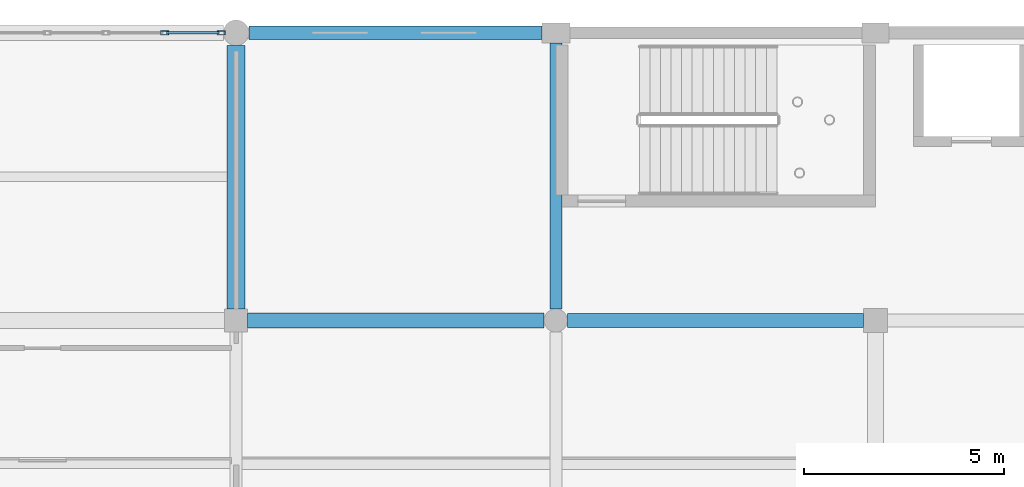
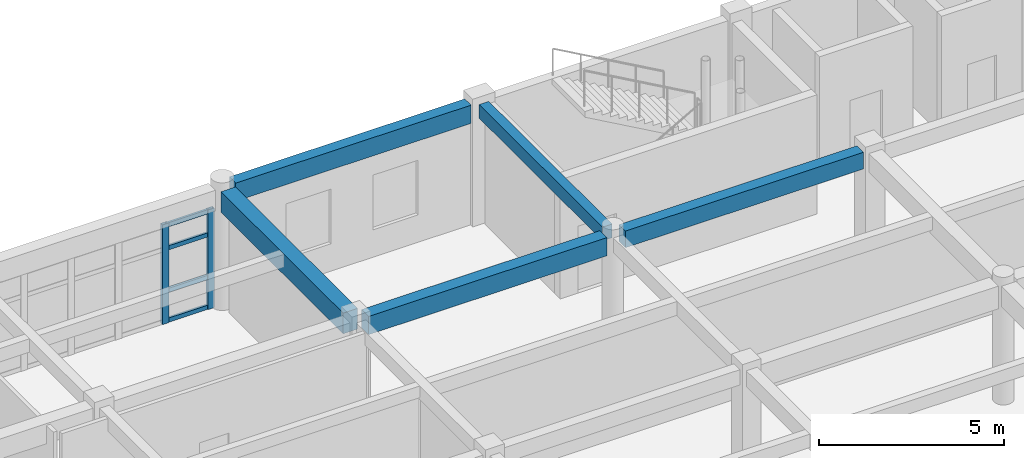
# One storey, part 59 of 121: 6 members, 5 beams, 1 element without a shape of its own.
"""IFC4 building model written with IfcOpenShell, lengths in metres."""

import ifcopenshell
import ifcopenshell.guid

model = None  # the IFC model being written
_history = None  # IfcOwnerHistory: only IFC2X3 demands one
_inside = {}  # id of a spatial element -> (the spatial element, [elements in it])
_under = {}  # id of a project, library or spatial element -> (it, [spatial elements below it])
_declared = {}  # id of a project -> (the project, [libraries it declares])
_typed = {}  # id of a type object -> (the type object, [elements of that type])
_made_of = {}  # id of a material, layer set ... -> (it, [elements and type objects made of it])


def new_model(schema):
    """Start an empty IFC model of exactly this schema.

    Asked for "IFC4X3", IfcOpenShell would pick the latest addendum, in which some entities
    have other attributes; the version numbers below select the first issue.
    IFC2X3 requires an IfcOwnerHistory on every rooted entity: one is made here for all.
    """
    global model, _history
    if schema == "IFC4X3":
        model = ifcopenshell.file(schema_version=(4, 3, 0, 0))
    else:
        model = ifcopenshell.file(schema=schema)
    _inside.clear()
    _under.clear()
    _declared.clear()
    _typed.clear()
    _made_of.clear()
    _history = None
    if model.schema == "IFC2X3":
        org = make("IfcOrganization", Name="unknown")
        user = make(
            "IfcPersonAndOrganization",
            ThePerson=make("IfcPerson", FamilyName="unknown"),
            TheOrganization=org,
        )
        app = make(
            "IfcApplication",
            ApplicationDeveloper=org,
            Version="unknown",
            ApplicationFullName="unknown",
            ApplicationIdentifier="unknown",
        )
        _history = make(
            "IfcOwnerHistory",
            OwningUser=user,
            OwningApplication=app,
            ChangeAction="ADDED",
            CreationDate=0,
        )
    return model


def make(cls, **values):
    """One entity of the class cls with the attributes given. An attribute that is None is left unset."""
    return model.create_entity(
        cls, **{name: value for name, value in values.items() if value is not None}
    )


def rooted(cls, **values):
    """An entity with a GlobalId (a new one), such as an element, a storey or a relation."""
    return make(cls, GlobalId=ifcopenshell.guid.new(), OwnerHistory=_history, **values)


def si_unit(unit_type, name, prefix=None):
    """IfcSIUnit, for example si_unit("LENGTHUNIT", "METRE", prefix="MILLI")."""
    return make("IfcSIUnit", UnitType=unit_type, Prefix=prefix, Name=name)


def assignment(units):
    """IfcUnitAssignment: the units of a project."""
    return None if units is None else make("IfcUnitAssignment", Units=units)


def point(xyz):
    """IfcCartesianPoint."""
    return None if xyz is None else make("IfcCartesianPoint", Coordinates=xyz)


def direction(xyz):
    """IfcDirection."""
    return None if xyz is None else make("IfcDirection", DirectionRatios=xyz)


def frame(location, z_axis=None, x_axis=None):
    """IfcAxis2Placement3D, a coordinate frame: its origin and axes. An axis left out is left unset."""
    return make(
        "IfcAxis2Placement3D",
        Location=point(location),
        Axis=direction(z_axis),
        RefDirection=direction(x_axis),
    )


def frame_2d(location, x_axis=None):
    """IfcAxis2Placement2D, a coordinate frame in the plane: its origin and x axis."""
    return make(
        "IfcAxis2Placement2D", Location=point(location), RefDirection=direction(x_axis)
    )


def origin():
    """The frame at (0, 0, 0) with its axes left unset."""
    return frame((0.0, 0.0, 0.0))


def origin_2d():
    """The frame at (0, 0) in the plane with its x axis left unset."""
    return frame_2d((0.0, 0.0))


def place(relative_to, where):
    """IfcLocalPlacement: puts the frame where relative to a parent placement (None: the world)."""
    return make(
        "IfcLocalPlacement", PlacementRelTo=relative_to, RelativePlacement=where
    )


def context(
    kind, dimensions, precision=None, world=None, true_north=None, identifier=None
):
    """IfcGeometricRepresentationContext, for example the 3D "Model" context."""
    return make(
        "IfcGeometricRepresentationContext",
        ContextIdentifier=identifier,
        ContextType=kind,
        CoordinateSpaceDimension=dimensions,
        Precision=precision,
        WorldCoordinateSystem=world,
        TrueNorth=true_north,
    )


def subcontext(parent, identifier, kind, view, scale=None):
    """IfcGeometricRepresentationSubContext, for example "Body" below "Model"."""
    return make(
        "IfcGeometricRepresentationSubContext",
        ContextIdentifier=identifier,
        ContextType=kind,
        ParentContext=parent,
        TargetScale=scale,
        TargetView=view,
    )


def project(units=None, contexts=None):
    """IfcProject with its units and contexts."""
    return rooted(
        "IfcProject",
        Name="project",
        RepresentationContexts=contexts,
        UnitsInContext=assignment(units),
    )


def spatial(cls, under=None, at=None, **own):
    """A site, building, storey or space (cls), placed at a placement, below another one or the project."""
    s = rooted(cls, ObjectPlacement=at, **own)
    if under is not None:
        _under.setdefault(under.id(), (under, []))[1].append(s)
    return s


def profile(cls, at=None, kind="AREA", **sizes):
    """A parametric profile (cls). Its sizes go by their IFC names, for example OverallWidth=200.0."""
    return make(cls, ProfileType=kind, Position=at, **sizes)


def rectangle(**sizes):
    """IfcRectangleProfileDef."""
    return profile("IfcRectangleProfileDef", **sizes)


def hollow_rectangle(**sizes):
    """IfcRectangleHollowProfileDef."""
    return profile("IfcRectangleHollowProfileDef", **sizes)


def extrude(swept, where, along, depth):
    """IfcExtrudedAreaSolid: the profile swept, set in the frame where, extruded along a direction by depth."""
    return make(
        "IfcExtrudedAreaSolid",
        SweptArea=swept,
        Position=where,
        ExtrudedDirection=direction(along),
        Depth=depth,
    )


def shape(context_of_items, identifier, shape_type, items):
    """IfcShapeRepresentation: the items that make up one representation, for example the "Body"."""
    return make(
        "IfcShapeRepresentation",
        ContextOfItems=context_of_items,
        RepresentationIdentifier=identifier,
        RepresentationType=shape_type,
        Items=items,
    )


def material(Name=None, Category=None):
    """IfcMaterial."""
    return make("IfcMaterial", Name=Name, Category=Category)


def material_profile(
    of_material, cross_section, Name=None, Category=None, Priority=None
):
    """IfcMaterialProfile: a cross section and its material."""
    return make(
        "IfcMaterialProfile",
        Name=Name,
        Material=of_material,
        Profile=cross_section,
        Priority=Priority,
        Category=Category,
    )


def profile_set(profiles, Name=None, composite=None):
    """IfcMaterialProfileSet."""
    return make(
        "IfcMaterialProfileSet",
        Name=Name,
        MaterialProfiles=profiles,
        CompositeProfile=composite,
    )


def made_of(thing, what):
    """Note that an element or type object is made of a material, layer set ...; save() writes the relation."""
    if what is not None:
        _made_of.setdefault(what.id(), (what, []))[1].append(thing)
    return thing


def type_object(cls, material=None, **own):
    """A type object (cls), such as IfcWallType, which elements share."""
    return made_of(rooted(cls, **own), material)


def element(
    cls,
    number,
    at=None,
    inside=None,
    cuts=None,
    type_object=None,
    material=None,
    context=None,
    identifier="Body",
    shape_type=None,
    held_by="IfcProductDefinitionShape",
    body=None,
    shapes=None,
    **own,
):
    """One element of the class cls, such as IfcWall. Its Tag is "e" and its number.

    at: its placement. inside: the storey or other place that contains it. cuts: it is an
    opening in that element (IfcRelVoidsElement). A single representation is given by context,
    identifier, shape_type and body (its items); several are given by shapes. held_by: the class
    of the entity that holds the representations. save() writes the other relations.
    """
    e = rooted(cls, Tag="e%d" % number, ObjectPlacement=at, **own)
    if body is not None:
        shapes = [shape(context, identifier, shape_type, body)]
    if shapes is not None:
        e.Representation = make(held_by, Representations=shapes)
    if inside is not None:
        _inside.setdefault(inside.id(), (inside, []))[1].append(e)
    if cuts is not None:
        rooted(
            "IfcRelVoidsElement", RelatingBuildingElement=cuts, RelatedOpeningElement=e
        )
    if type_object is not None:
        _typed.setdefault(type_object.id(), (type_object, []))[1].append(e)
    return made_of(e, material)


def aggregate(whole, parts):
    """IfcRelAggregates: a whole, such as a stair, and the parts it consists of."""
    return rooted("IfcRelAggregates", RelatingObject=whole, RelatedObjects=parts)


def save(model, path):
    """Write the relations noted so far, then the file.

    IfcRelAggregates (storeys below a building ...), IfcRelContainedInSpatialStructure (elements
    in a storey), IfcRelDefinesByType, IfcRelAssociatesMaterial and IfcRelDeclares: one each for
    every whole, place, type object, material and project.
    """
    for whole, parts in _under.values():
        aggregate(whole, parts)
    for where, things in _inside.values():
        rooted(
            "IfcRelContainedInSpatialStructure",
            RelatedElements=things,
            RelatingStructure=where,
        )
    for kind, things in _typed.values():
        rooted("IfcRelDefinesByType", RelatedObjects=things, RelatingType=kind)
    for what, things in _made_of.values():
        rooted("IfcRelAssociatesMaterial", RelatedObjects=things, RelatingMaterial=what)
    for by, libraries in _declared.values():
        rooted("IfcRelDeclares", RelatingContext=by, RelatedDefinitions=libraries)
    model.write(path)


model = new_model("IFC4")

# Units and contexts
model_context = context("Model", 3, precision=1e-05, world=origin(), true_north=direction((0.0, 1.0)))
body_context = subcontext(model_context, "Body", "Model", "MODEL_VIEW")
ifc_project = project(units=[si_unit("LENGTHUNIT", "METRE"), si_unit("AREAUNIT", "SQUARE_METRE"), si_unit("VOLUMEUNIT", "CUBIC_METRE"), si_unit("PLANEANGLEUNIT", "RADIAN"), si_unit("MASSUNIT", "GRAM", prefix="KILO")], contexts=[model_context])

# Site, building, storey
site_placement = place(None, origin())
site = spatial("IfcSite", under=ifc_project, at=site_placement, CompositionType="ELEMENT")
building_placement = place(site_placement, origin())
building = spatial("IfcBuilding", under=site, at=building_placement, Name="Kharva Crest Polytechnic", CompositionType="ELEMENT")
storey_placement = place(building_placement, frame((0.0, 0.0, 13.199951171875)))
storey = spatial("IfcBuildingStorey", under=building, at=storey_placement, Name="L03", CompositionType="ELEMENT", Elevation=13.199951171875)

# Beams
ifc_material_1 = material(Name="Concrete C35/45", Category="concrete")
ifc_material_profile_1 = material_profile(ifc_material_1, rectangle(XDim=0.300048828125, YDim=0.449951171875, at=origin_2d()), Name="RECT 300 X 450")
ifc_profile_set_1 = profile_set([ifc_material_profile_1], Name="Concrete C35/45")
beam_type_1 = type_object("IfcBeamType", Name="BM-RC-300X450", PredefinedType="BEAM", material=ifc_profile_set_1)
beam_1_placement = place(storey_placement, frame((56.0, 115.090087890625, 3.735107421875), z_axis=(0.0, 1.0, 0.0), x_axis=(-1.0, 0.0, 0.0)))
element("IfcBeam", 1, at=beam_1_placement, inside=storey, type_object=beam_type_1, Name="L03 Girder 8/R-S", PredefinedType="BEAM", context=body_context, shape_type="SweptSolid", body=[
    extrude(rectangle(XDim=0.300048828125, YDim=0.449951171875, at=origin_2d()), origin(), (0.0, 0.0, 1.0), 6.659912109375),
])
ifc_material_profile_2 = material_profile(ifc_material_1, rectangle(XDim=0.35009765625, YDim=0.550048828125, at=origin_2d()), Name="RECT 350 X 550")
ifc_profile_set_2 = profile_set([ifc_material_profile_2], Name="Concrete C35/45")
beam_type_2 = type_object("IfcBeamType", Name="BM-RC-350X550", PredefinedType="BEAM", material=ifc_profile_set_2)
beam_2_placement = place(storey_placement, frame((56.2900390625, 114.800048828125, 3.68505859375), z_axis=(1.0, 0.0, 0.0), x_axis=(0.0, 1.0, 0.0)))
element("IfcBeam", 2, at=beam_2_placement, inside=storey, type_object=beam_type_2, Name="L03 Beam R/8-9", PredefinedType="BEAM", context=body_context, shape_type="SweptSolid", body=[
    extrude(rectangle(XDim=0.35009765625, YDim=0.550048828125, at=origin_2d()), origin(), (0.0, 0.0, 1.0), 7.409912109375),
])
ifc_material_profile_3 = material_profile(ifc_material_1, rectangle(XDim=0.3798828125, YDim=0.60009765625, at=origin_2d()), Name="RECT 380 X 600")
ifc_profile_set_3 = profile_set([ifc_material_profile_3], Name="Concrete C35/45")
beam_type_3 = type_object("IfcBeamType", Name="BM-RC-380X600", PredefinedType="BEAM", material=ifc_profile_set_3)
beam_3_placement = place(storey_placement, frame((48.2900390625, 114.800048828125, 3.66015625), z_axis=(1.0, 0.0, 0.0), x_axis=(0.0, 1.0, 0.0)))
element("IfcBeam", 3, at=beam_3_placement, inside=storey, type_object=beam_type_3, Name="L03 Beam R/7-8", PredefinedType="BEAM", context=body_context, shape_type="SweptSolid", body=[
    extrude(rectangle(XDim=0.3798828125, YDim=0.60009765625, at=origin_2d()), origin(), (0.0, 0.0, 1.0), 7.419921875),
])
ifc_material_profile_4 = material_profile(ifc_material_1, rectangle(XDim=0.449951171875, YDim=0.679931640625, at=origin_2d()), Name="RECT 450 X 680")
ifc_profile_set_4 = profile_set([ifc_material_profile_4], Name="Concrete C35/45")
beam_type_4 = type_object("IfcBeamType", Name="BM-RC-450X680", PredefinedType="BEAM", material=ifc_profile_set_4)
beam_4_placement = place(storey_placement, frame((48.0, 115.090087890625, 3.6201171875), z_axis=(0.0, 1.0, 0.0), x_axis=(-1.0, 0.0, 0.0)))
element("IfcBeam", 4, at=beam_4_placement, inside=storey, type_object=beam_type_4, Name="L03 Girder 7/R-S", PredefinedType="BEAM", context=body_context, shape_type="SweptSolid", body=[
    extrude(rectangle(XDim=0.449951171875, YDim=0.679931640625, at=origin_2d()), origin(), (0.0, 0.0, 1.0), 6.58984375),
])

# Curtain wall, members
ifc_material_2 = material(Name="Tempered insulated glass", Category="glass")
curtain_wall_type = type_object("IfcCurtainWallType", Name="CW-SYS-LIBRARY", PredefinedType="USERDEFINED", material=ifc_material_2)
curtain_wall_placement = place(storey_placement, origin())
curtain_wall = element("IfcCurtainWall", 5, at=curtain_wall_placement, inside=storey, type_object=curtain_wall_type, Name="L03 Glazed Curtain Wall CW-162", ObjectType="CURTAIN WALL", PredefinedType="USERDEFINED")
ifc_material_3 = material(Name="Steel S355", Category="steel")
ifc_material_profile_5 = material_profile(ifc_material_3, hollow_rectangle(XDim=0.10009765625, YDim=0.199951171875, WallThickness=0.00634765625, at=origin_2d()), Name="RHS 200X100X6.3")
ifc_profile_set_5 = profile_set([ifc_material_profile_5], Name="Steel S355")
member_type_1 = type_object("IfcMemberType", Name="CWM-RHS200X100", PredefinedType="MULLION", material=ifc_profile_set_5)
member_1_placement = place(storey_placement, frame((47.625, 122.0, 0.0), z_axis=(0.0, 0.0, 1.0), x_axis=(0.0, -1.0, 0.0)))
member_1 = element("IfcMember", 6, at=member_1_placement, type_object=member_type_1, Name="CW-162 mullion 1", PredefinedType="MULLION", context=body_context, shape_type="SweptSolid", body=[
    extrude(hollow_rectangle(XDim=0.10009765625, YDim=0.199951171875, WallThickness=0.00634765625, at=origin_2d()), origin(), (0.0, 0.0, 1.0), 3.280029296875),
])
member_2_placement = place(storey_placement, frame((46.208984375, 122.0, 0.0), z_axis=(0.0, 0.0, 1.0), x_axis=(0.0, -1.0, 0.0)))
member_2 = element("IfcMember", 7, at=member_2_placement, type_object=member_type_1, Name="CW-162 mullion 2", PredefinedType="MULLION", context=body_context, shape_type="SweptSolid", body=[
    extrude(hollow_rectangle(XDim=0.10009765625, YDim=0.199951171875, WallThickness=0.00634765625, at=origin_2d()), origin(), (0.0, 0.0, 1.0), 3.280029296875),
])
ifc_material_profile_6 = material_profile(ifc_material_3, hollow_rectangle(XDim=0.070068359375, YDim=0.139892578125, WallThickness=0.00390625, at=origin_2d()), Name="RHS 140X70X4.0")
ifc_profile_set_6 = profile_set([ifc_material_profile_6], Name="Steel S355")
member_type_2 = type_object("IfcMemberType", Name="CWT-RHS140X70", PredefinedType="USERDEFINED", material=ifc_profile_set_6)
member_3_placement = place(storey_placement, frame((47.574951171875, 122.0, 0.070068359375), z_axis=(-1.0, 0.0, 0.0), x_axis=(0.0, -1.0, 0.0)))
member_3 = element("IfcMember", 8, at=member_3_placement, type_object=member_type_2, Name="CW-162 transom 1.1", ObjectType="TRANSOM", PredefinedType="USERDEFINED", context=body_context, shape_type="SweptSolid", body=[
    extrude(hollow_rectangle(XDim=0.070068359375, YDim=0.139892578125, WallThickness=0.00390625, at=origin_2d()), origin(), (0.0, 0.0, 1.0), 1.31591796875),
])
member_4_placement = place(storey_placement, frame((47.574951171875, 122.0, 1.050048828125), z_axis=(-1.0, 0.0, 0.0), x_axis=(0.0, -1.0, 0.0)))
member_4 = element("IfcMember", 9, at=member_4_placement, type_object=member_type_2, Name="CW-162 transom 1.2", ObjectType="TRANSOM", PredefinedType="USERDEFINED", context=body_context, shape_type="SweptSolid", body=[
    extrude(hollow_rectangle(XDim=0.070068359375, YDim=0.139892578125, WallThickness=0.00390625, at=origin_2d()), origin(), (0.0, 0.0, 1.0), 1.31591796875),
])
member_5_placement = place(storey_placement, frame((47.574951171875, 122.0, 2.449951171875), z_axis=(-1.0, 0.0, 0.0), x_axis=(0.0, -1.0, 0.0)))
member_5 = element("IfcMember", 10, at=member_5_placement, type_object=member_type_2, Name="CW-162 transom 1.3", ObjectType="TRANSOM", PredefinedType="USERDEFINED", context=body_context, shape_type="SweptSolid", body=[
    extrude(hollow_rectangle(XDim=0.070068359375, YDim=0.139892578125, WallThickness=0.00390625, at=origin_2d()), origin(), (0.0, 0.0, 1.0), 1.31591796875),
])
member_6_placement = place(storey_placement, frame((47.574951171875, 122.0, 3.2099609375), z_axis=(-1.0, 0.0, 0.0), x_axis=(0.0, -1.0, 0.0)))
member_6 = element("IfcMember", 11, at=member_6_placement, type_object=member_type_2, Name="CW-162 transom 1.4", ObjectType="TRANSOM", PredefinedType="USERDEFINED", context=body_context, shape_type="SweptSolid", body=[
    extrude(hollow_rectangle(XDim=0.070068359375, YDim=0.139892578125, WallThickness=0.00390625, at=origin_2d()), origin(), (0.0, 0.0, 1.0), 1.31591796875),
])
aggregate(curtain_wall, [member_1, member_2, member_3, member_4, member_5, member_6])

# Beam
ifc_material_profile_7 = material_profile(ifc_material_1, rectangle(XDim=0.340087890625, YDim=0.60009765625, at=origin_2d()), Name="RECT 340 X 600")
ifc_profile_set_7 = profile_set([ifc_material_profile_7], Name="Concrete C35/45")
beam_type_5 = type_object("IfcBeamType", Name="SP-RC-340X600", PredefinedType="SPANDREL", material=ifc_profile_set_7)
beam_5_placement = place(storey_placement, frame((48.320068359375, 122.0, 3.66015625), z_axis=(1.0, 0.0, 0.0), x_axis=(0.0, 1.0, 0.0)))
element("IfcBeam", 12, at=beam_5_placement, inside=storey, type_object=beam_type_5, Name="L03 Beam S/7-8", PredefinedType="SPANDREL", context=body_context, shape_type="SweptSolid", body=[
    extrude(rectangle(XDim=0.340087890625, YDim=0.60009765625, at=origin_2d()), origin(), (0.0, 0.0, 1.0), 7.329833984375),
])

save(model, "model.ifc")
